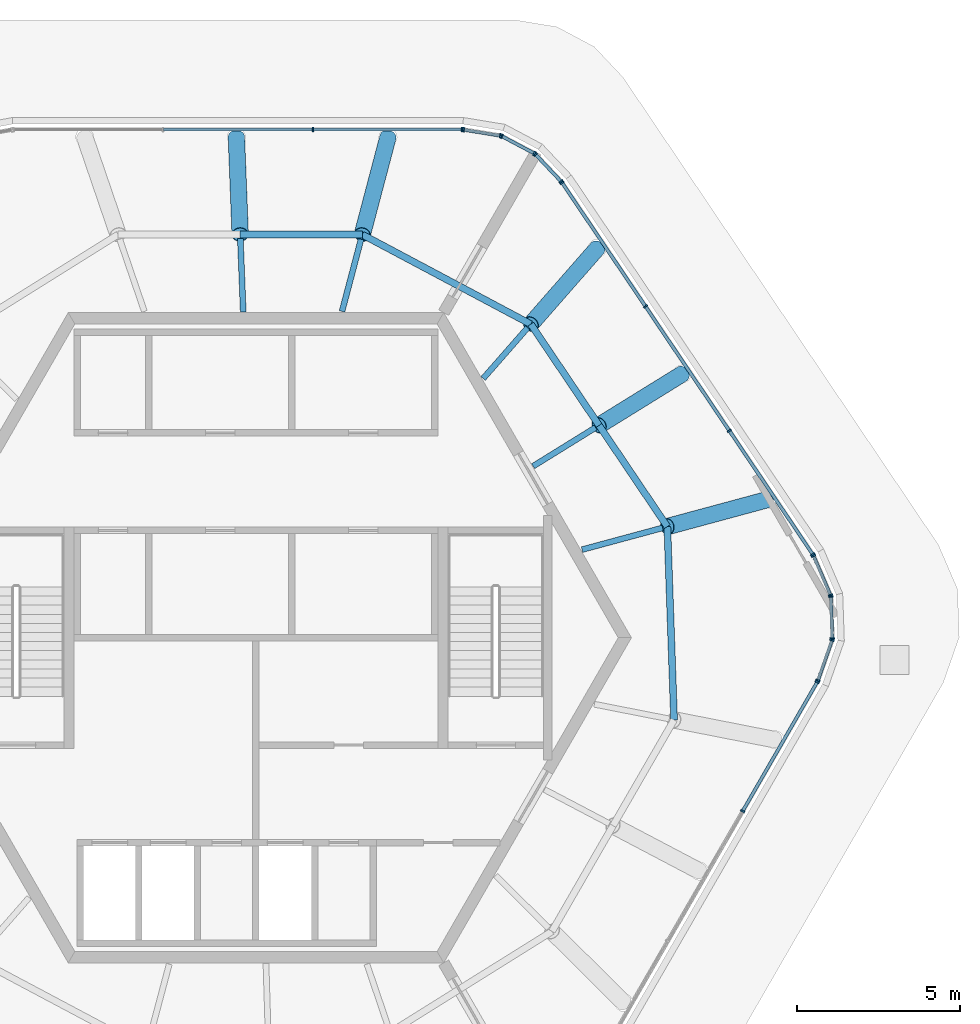
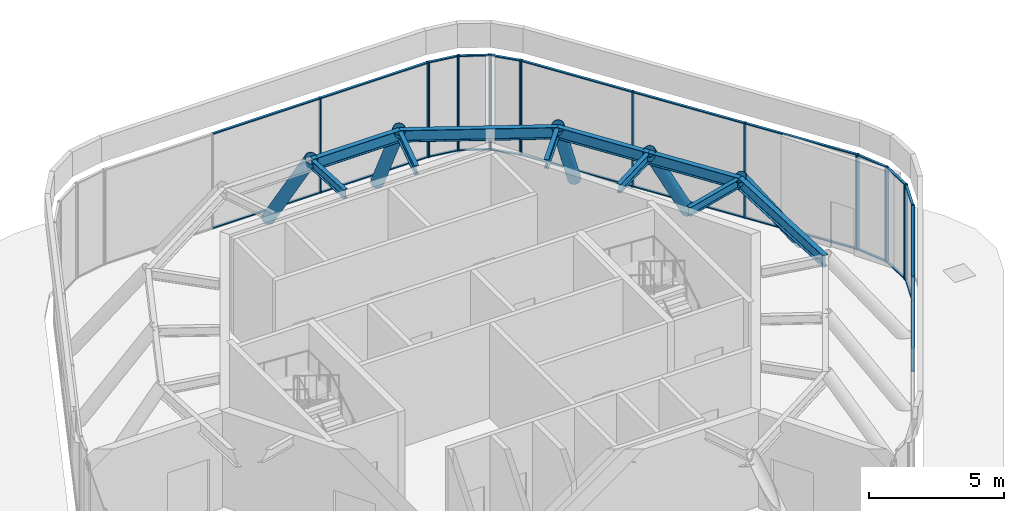
# One storey, part 4 of 9: 49 members, 10 beams, 9 elements without a shape of their own.
"""IFC4 building model written with IfcOpenShell, lengths in metres."""

from ifc_helpers import new_model, si_unit, direction, frame, origin, origin_2d, place, context, subcontext, project, spatial, rectangle, hollow_circle, i_section, extrude, material, material_profile, profile_set, type_object, element, aggregate, save


model = new_model("IFC4")

# Units and contexts
model_context = context("Model", 3, precision=1e-05, world=origin(), true_north=direction((0.0, 1.0)))
body_context = subcontext(model_context, "Body", "Model", "MODEL_VIEW")
ifc_project = project(units=[si_unit("LENGTHUNIT", "METRE"), si_unit("AREAUNIT", "SQUARE_METRE"), si_unit("VOLUMEUNIT", "CUBIC_METRE"), si_unit("PLANEANGLEUNIT", "RADIAN"), si_unit("MASSUNIT", "GRAM", prefix="KILO")], contexts=[model_context])

# Site, building, storey
site_placement = place(None, origin())
site = spatial("IfcSite", under=ifc_project, at=site_placement, CompositionType="ELEMENT")
building_placement = place(site_placement, origin())
building = spatial("IfcBuilding", under=site, at=building_placement, Name="Tarnside Tower", CompositionType="ELEMENT")
storey_placement = place(building_placement, frame((0.0, 0.0, 397.199951171875)))
storey = spatial("IfcBuildingStorey", under=building, at=storey_placement, Name="L94", CompositionType="ELEMENT", Elevation=397.199951171875)

# Curtain wall, members
ifc_material_1 = material(Name="Crown glazing wall", Category="glass")
curtain_wall_type = type_object("IfcCurtainWallType", Name="Crown glazing wall", PredefinedType="NOTDEFINED", material=ifc_material_1)
curtain_wall_1_placement = place(storey_placement, origin())
curtain_wall_1 = element("IfcCurtainWall", 1, at=curtain_wall_1_placement, inside=storey, type_object=curtain_wall_type, Name="Crown glazing L94 00", PredefinedType="NOTDEFINED")
ifc_material_2 = material(Name="Aluminium alloy 6063", Category="aluminium")
ifc_material_profile_1 = material_profile(ifc_material_2, rectangle(XDim=0.139892578125, YDim=0.050048828125, at=origin_2d()), Name="Crown glazing mullion 50 x 140")
ifc_profile_set_1 = profile_set([ifc_material_profile_1], Name="Aluminium alloy 6063")
member_type_1 = type_object("IfcMemberType", Name="Crown glazing mullion 50 x 140", PredefinedType="MULLION", material=ifc_profile_set_1)
member_1_placement = place(storey_placement, frame((1.7490234375, 15.6298828125, 0.0), z_axis=(0.0, 0.0, 1.0), x_axis=(0.0, 1.0, 0.0)))
member_1 = element("IfcMember", 2, at=member_1_placement, type_object=member_type_1, Name="CW6 mullion 3", PredefinedType="MULLION", context=body_context, shape_type="SweptSolid", body=[
    extrude(rectangle(XDim=0.139892578125, YDim=0.050048828125, at=origin_2d()), origin(), (0.0, 0.0, 1.0), 4.300048828125),
])
member_2_placement = place(storey_placement, frame((6.337646484375, 15.6298828125, 0.0), z_axis=(0.0, 0.0, 1.0), x_axis=(0.0, 1.0, 0.0)))
member_2 = element("IfcMember", 3, at=member_2_placement, type_object=member_type_1, Name="CW6 mullion 4", PredefinedType="MULLION", context=body_context, shape_type="SweptSolid", body=[
    extrude(rectangle(XDim=0.139892578125, YDim=0.050048828125, at=origin_2d()), origin(), (0.0, 0.0, 1.0), 4.300048828125),
])

curtain_wall_2_placement = place(storey_placement, origin())
curtain_wall_2 = element("IfcCurtainWall", 4, at=curtain_wall_2_placement, inside=storey, type_object=curtain_wall_type, Name="Crown glazing L94 01", PredefinedType="NOTDEFINED")
member_3_placement = place(storey_placement, frame((6.38720703125, 15.6259765625, 0.0), z_axis=(0.0, 0.0, 1.0), x_axis=(0.162177923324, 0.986761532077, 0.0)))
member_3 = element("IfcMember", 5, at=member_3_placement, type_object=member_type_1, Name="CW6 mullion 1", PredefinedType="MULLION", context=body_context, shape_type="SweptSolid", body=[
    extrude(rectangle(XDim=0.139892578125, YDim=0.050048828125, at=origin_2d()), origin(), (0.0, 0.0, 1.0), 4.300048828125),
])
member_4_placement = place(storey_placement, frame((7.516845703125, 15.4404296875, 0.0), z_axis=(0.0, 0.0, 1.0), x_axis=(0.162177923324, 0.986761532077, 0.0)))
member_4 = element("IfcMember", 6, at=member_4_placement, type_object=member_type_1, Name="CW6 mullion 2", PredefinedType="MULLION", context=body_context, shape_type="SweptSolid", body=[
    extrude(rectangle(XDim=0.139892578125, YDim=0.050048828125, at=origin_2d()), origin(), (0.0, 0.0, 1.0), 4.300048828125),
])

curtain_wall_3_placement = place(storey_placement, origin())
curtain_wall_3 = element("IfcCurtainWall", 7, at=curtain_wall_3_placement, inside=storey, type_object=curtain_wall_type, Name="Crown glazing L94 02", PredefinedType="NOTDEFINED")
member_5_placement = place(storey_placement, frame((7.5634765625, 15.424560546875, 0.0), z_axis=(0.0, 0.0, 1.0), x_axis=(0.469471562678, 0.882947592916, 0.0)))
member_5 = element("IfcMember", 8, at=member_5_placement, type_object=member_type_1, Name="CW6 mullion 1", PredefinedType="MULLION", context=body_context, shape_type="SweptSolid", body=[
    extrude(rectangle(XDim=0.139892578125, YDim=0.050048828125, at=origin_2d()), origin(), (0.0, 0.0, 1.0), 4.300048828125),
])
member_6_placement = place(storey_placement, frame((8.55810546875, 14.895751953125, 0.0), z_axis=(0.0, 0.0, 1.0), x_axis=(0.469471562678, 0.882947592916, 0.0)))
member_6 = element("IfcMember", 9, at=member_6_placement, type_object=member_type_1, Name="CW6 mullion 2", PredefinedType="MULLION", context=body_context, shape_type="SweptSolid", body=[
    extrude(rectangle(XDim=0.139892578125, YDim=0.050048828125, at=origin_2d()), origin(), (0.0, 0.0, 1.0), 4.300048828125),
])

curtain_wall_4_placement = place(storey_placement, origin())
curtain_wall_4 = element("IfcCurtainWall", 10, at=curtain_wall_4_placement, inside=storey, type_object=curtain_wall_type, Name="Crown glazing L94 03", PredefinedType="NOTDEFINED")
member_7_placement = place(storey_placement, frame((8.597412109375, 14.86572265625, 0.0), z_axis=(0.0, 0.0, 1.0), x_axis=(0.727373641409, 0.686241638042, 0.0)))
member_7 = element("IfcMember", 11, at=member_7_placement, type_object=member_type_1, Name="CW6 mullion 1", PredefinedType="MULLION", context=body_context, shape_type="SweptSolid", body=[
    extrude(rectangle(XDim=0.139892578125, YDim=0.050048828125, at=origin_2d()), origin(), (0.0, 0.0, 1.0), 4.300048828125),
])
member_8_placement = place(storey_placement, frame((9.3828125, 14.033203125, 0.0), z_axis=(0.0, 0.0, 1.0), x_axis=(0.727373641409, 0.686241638042, 0.0)))
member_8 = element("IfcMember", 12, at=member_8_placement, type_object=member_type_1, Name="CW6 mullion 2", PredefinedType="MULLION", context=body_context, shape_type="SweptSolid", body=[
    extrude(rectangle(XDim=0.139892578125, YDim=0.050048828125, at=origin_2d()), origin(), (0.0, 0.0, 1.0), 4.300048828125),
])

curtain_wall_5_placement = place(storey_placement, origin())
curtain_wall_5 = element("IfcCurtainWall", 13, at=curtain_wall_5_placement, inside=storey, type_object=curtain_wall_type, Name="Crown glazing L94 04", PredefinedType="NOTDEFINED")
member_9_placement = place(storey_placement, frame((9.4140625, 13.994140625, 0.0), z_axis=(0.0, 0.0, 1.0), x_axis=(0.829037572575, 0.559192903442, 0.0)))
member_9 = element("IfcMember", 14, at=member_9_placement, type_object=member_type_1, Name="CW6 mullion 1", PredefinedType="MULLION", context=body_context, shape_type="SweptSolid", body=[
    extrude(rectangle(XDim=0.139892578125, YDim=0.050048828125, at=origin_2d()), origin(), (0.0, 0.0, 1.0), 4.300048828125),
])
member_10_placement = place(storey_placement, frame((11.979736328125, 10.190185546875, 0.0), z_axis=(0.0, 0.0, 1.0), x_axis=(0.829037572575, 0.559192903442, 0.0)))
member_10 = element("IfcMember", 15, at=member_10_placement, type_object=member_type_1, Name="CW6 mullion 2", PredefinedType="MULLION", context=body_context, shape_type="SweptSolid", body=[
    extrude(rectangle(XDim=0.139892578125, YDim=0.050048828125, at=origin_2d()), origin(), (0.0, 0.0, 1.0), 4.300048828125),
])
member_11_placement = place(storey_placement, frame((14.5595703125, 6.365478515625, 0.0), z_axis=(0.0, 0.0, 1.0), x_axis=(0.829037572575, 0.559192903442, 0.0)))
member_11 = element("IfcMember", 16, at=member_11_placement, type_object=member_type_1, Name="CW6 mullion 3", PredefinedType="MULLION", context=body_context, shape_type="SweptSolid", body=[
    extrude(rectangle(XDim=0.139892578125, YDim=0.050048828125, at=origin_2d()), origin(), (0.0, 0.0, 1.0), 4.300048828125),
])
member_12_placement = place(storey_placement, frame((17.12548828125, 2.5615234375, 0.0), z_axis=(0.0, 0.0, 1.0), x_axis=(0.829037572575, 0.559192903442, 0.0)))
member_12 = element("IfcMember", 17, at=member_12_placement, type_object=member_type_1, Name="CW6 mullion 4", PredefinedType="MULLION", context=body_context, shape_type="SweptSolid", body=[
    extrude(rectangle(XDim=0.139892578125, YDim=0.050048828125, at=origin_2d()), origin(), (0.0, 0.0, 1.0), 4.300048828125),
])

curtain_wall_6_placement = place(storey_placement, origin())
curtain_wall_6 = element("IfcCurtainWall", 18, at=curtain_wall_6_placement, inside=storey, type_object=curtain_wall_type, Name="Crown glazing L94 05", PredefinedType="NOTDEFINED")
member_13_placement = place(storey_placement, frame((17.1494140625, 2.517822265625, 0.0), z_axis=(0.0, 0.0, 1.0), x_axis=(0.918216106813, 0.396079766194, 0.0)))
member_13 = element("IfcMember", 19, at=member_13_placement, type_object=member_type_1, Name="CW6 mullion 1", PredefinedType="MULLION", context=body_context, shape_type="SweptSolid", body=[
    extrude(rectangle(XDim=0.139892578125, YDim=0.050048828125, at=origin_2d()), origin(), (0.0, 0.0, 1.0), 4.300048828125),
])
member_14_placement = place(storey_placement, frame((17.66943359375, 1.31201171875, 0.0), z_axis=(0.0, 0.0, 1.0), x_axis=(0.918216106813, 0.396079766194, 0.0)))
member_14 = element("IfcMember", 20, at=member_14_placement, type_object=member_type_1, Name="CW6 mullion 2", PredefinedType="MULLION", context=body_context, shape_type="SweptSolid", body=[
    extrude(rectangle(XDim=0.139892578125, YDim=0.050048828125, at=origin_2d()), origin(), (0.0, 0.0, 1.0), 4.300048828125),
])

curtain_wall_7_placement = place(storey_placement, origin())
curtain_wall_7 = element("IfcCurtainWall", 21, at=curtain_wall_7_placement, inside=storey, type_object=curtain_wall_type, Name="Crown glazing L94 06", PredefinedType="NOTDEFINED")
member_15_placement = place(storey_placement, frame((17.68017578125, 1.263916015625, 0.0), z_axis=(0.0, 0.0, 1.0), x_axis=(0.999390827004, 0.034899497121, 0.0)))
member_15 = element("IfcMember", 22, at=member_15_placement, type_object=member_type_1, Name="CW6 mullion 1", PredefinedType="MULLION", context=body_context, shape_type="SweptSolid", body=[
    extrude(rectangle(XDim=0.139892578125, YDim=0.050048828125, at=origin_2d()), origin(), (0.0, 0.0, 1.0), 4.300048828125),
])
member_16_placement = place(storey_placement, frame((17.725341796875, -0.027587890625, 0.0), z_axis=(0.0, 0.0, 1.0), x_axis=(0.999390827004, 0.034899497121, 0.0)))
member_16 = element("IfcMember", 23, at=member_16_placement, type_object=member_type_1, Name="CW6 mullion 2", PredefinedType="MULLION", context=body_context, shape_type="SweptSolid", body=[
    extrude(rectangle(XDim=0.139892578125, YDim=0.050048828125, at=origin_2d()), origin(), (0.0, 0.0, 1.0), 4.300048828125),
])

curtain_wall_8_placement = place(storey_placement, origin())
curtain_wall_8 = element("IfcCurtainWall", 24, at=curtain_wall_8_placement, inside=storey, type_object=curtain_wall_type, Name="Crown glazing L94 07", PredefinedType="NOTDEFINED")
member_17_placement = place(storey_placement, frame((17.718017578125, -0.076171875, 0.0), z_axis=(0.0, 0.0, 1.0), x_axis=(0.943608506424, -0.331063417797, 0.0)))
member_17 = element("IfcMember", 25, at=member_17_placement, type_object=member_type_1, Name="CW6 mullion 1", PredefinedType="MULLION", context=body_context, shape_type="SweptSolid", body=[
    extrude(rectangle(XDim=0.139892578125, YDim=0.050048828125, at=origin_2d()), origin(), (0.0, 0.0, 1.0), 4.300048828125),
])
member_18_placement = place(storey_placement, frame((17.283203125, -1.3154296875, 0.0), z_axis=(0.0, 0.0, 1.0), x_axis=(0.943608506424, -0.331063417797, 0.0)))
member_18 = element("IfcMember", 26, at=member_18_placement, type_object=member_type_1, Name="CW6 mullion 2", PredefinedType="MULLION", context=body_context, shape_type="SweptSolid", body=[
    extrude(rectangle(XDim=0.139892578125, YDim=0.050048828125, at=origin_2d()), origin(), (0.0, 0.0, 1.0), 4.300048828125),
])

curtain_wall_9_placement = place(storey_placement, origin())
curtain_wall_9 = element("IfcCurtainWall", 27, at=curtain_wall_9_placement, inside=storey, type_object=curtain_wall_type, Name="Crown glazing L94 08", PredefinedType="NOTDEFINED")
member_19_placement = place(storey_placement, frame((17.262451171875, -1.360595703125, 0.0), z_axis=(0.0, 0.0, 1.0), x_axis=(0.866025403776, -0.500000000015, 0.0)))
member_19 = element("IfcMember", 28, at=member_19_placement, type_object=member_type_1, Name="CW6 mullion 1", PredefinedType="MULLION", context=body_context, shape_type="SweptSolid", body=[
    extrude(rectangle(XDim=0.139892578125, YDim=0.050048828125, at=origin_2d()), origin(), (0.0, 0.0, 1.0), 4.300048828125),
])
member_20_placement = place(storey_placement, frame((14.96826171875, -5.334228515625, 0.0), z_axis=(0.0, 0.0, 1.0), x_axis=(0.866025403776, -0.500000000015, 0.0)))
member_20 = element("IfcMember", 29, at=member_20_placement, type_object=member_type_1, Name="CW6 mullion 2", PredefinedType="MULLION", context=body_context, shape_type="SweptSolid", body=[
    extrude(rectangle(XDim=0.139892578125, YDim=0.050048828125, at=origin_2d()), origin(), (0.0, 0.0, 1.0), 4.300048828125),
])

# Member
ifc_material_profile_2 = material_profile(ifc_material_2, rectangle(XDim=0.10009765625, YDim=0.050048828125, at=origin_2d()), Name="Crown glazing transom 50 x 100")
ifc_profile_set_2 = profile_set([ifc_material_profile_2], Name="Aluminium alloy 6063")
member_type_2 = type_object("IfcMemberType", Name="Crown glazing transom 50 x 100", PredefinedType="USERDEFINED", material=ifc_profile_set_2)
member_21_placement = place(storey_placement, frame((-2.83935546875, 15.6298828125, 0.025146484375), z_axis=(1.0, 0.0, 0.0), x_axis=(0.0, 1.0, 0.0)))
member_21 = element("IfcMember", 30, at=member_21_placement, type_object=member_type_2, Name="CW6 transom 2.1", ObjectType="TRANSOM", PredefinedType="USERDEFINED", context=body_context, shape_type="SweptSolid", body=[
    extrude(rectangle(XDim=0.10009765625, YDim=0.050048828125, at=origin_2d()), origin(), (0.0, 0.0, 1.0), 4.5634765625),
])

member_22_placement = place(storey_placement, frame((-2.83935546875, 15.6298828125, 4.275146484375), z_axis=(1.0, 0.0, 0.0), x_axis=(0.0, 1.0, 0.0)))
member_22 = element("IfcMember", 31, at=member_22_placement, type_object=member_type_2, Name="CW6 transom 2.2", ObjectType="TRANSOM", PredefinedType="USERDEFINED", context=body_context, shape_type="SweptSolid", body=[
    extrude(rectangle(XDim=0.10009765625, YDim=0.050048828125, at=origin_2d()), origin(), (0.0, 0.0, 1.0), 4.5634765625),
])

member_23_placement = place(storey_placement, frame((1.774169921875, 15.6298828125, 0.025146484375), z_axis=(1.0, 0.0, 0.0), x_axis=(0.0, 1.0, 0.0)))
member_23 = element("IfcMember", 32, at=member_23_placement, type_object=member_type_2, Name="CW6 transom 3.1", ObjectType="TRANSOM", PredefinedType="USERDEFINED", context=body_context, shape_type="SweptSolid", body=[
    extrude(rectangle(XDim=0.10009765625, YDim=0.050048828125, at=origin_2d()), origin(), (0.0, 0.0, 1.0), 4.538330078125),
])

member_24_placement = place(storey_placement, frame((1.774169921875, 15.6298828125, 4.275146484375), z_axis=(1.0, 0.0, 0.0), x_axis=(0.0, 1.0, 0.0)))
member_24 = element("IfcMember", 33, at=member_24_placement, type_object=member_type_2, Name="CW6 transom 3.2", ObjectType="TRANSOM", PredefinedType="USERDEFINED", context=body_context, shape_type="SweptSolid", body=[
    extrude(rectangle(XDim=0.10009765625, YDim=0.050048828125, at=origin_2d()), origin(), (0.0, 0.0, 1.0), 4.538330078125),
])

aggregate(curtain_wall_1, [member_1, member_2, member_21, member_22, member_23, member_24])

member_25_placement = place(storey_placement, frame((6.411865234375, 15.621826171875, 0.025146484375), z_axis=(0.986765131059, -0.162156024023, 0.0), x_axis=(0.162156024023, 0.986765131059, 0.0)))
member_25 = element("IfcMember", 34, at=member_25_placement, type_object=member_type_2, Name="CW6 transom 1.1", ObjectType="TRANSOM", PredefinedType="USERDEFINED", context=body_context, shape_type="SweptSolid", body=[
    extrude(rectangle(XDim=0.10009765625, YDim=0.050048828125, at=origin_2d()), origin(), (0.0, 0.0, 1.0), 1.094482421875),
])

member_26_placement = place(storey_placement, frame((6.411865234375, 15.621826171875, 4.275146484375), z_axis=(0.986765131059, -0.162156024023, 0.0), x_axis=(0.162156024023, 0.986765131059, 0.0)))
member_26 = element("IfcMember", 35, at=member_26_placement, type_object=member_type_2, Name="CW6 transom 1.2", ObjectType="TRANSOM", PredefinedType="USERDEFINED", context=body_context, shape_type="SweptSolid", body=[
    extrude(rectangle(XDim=0.10009765625, YDim=0.050048828125, at=origin_2d()), origin(), (0.0, 0.0, 1.0), 1.094482421875),
])

aggregate(curtain_wall_2, [member_3, member_4, member_25, member_26])

member_27_placement = place(storey_placement, frame((7.58544921875, 15.412841796875, 0.025146484375), z_axis=(0.882942404878, -0.46948131983, 0.0), x_axis=(0.46948131983, 0.882942404878, 0.0)))
member_27 = element("IfcMember", 36, at=member_27_placement, type_object=member_type_2, Name="CW6 transom 1.1", ObjectType="TRANSOM", PredefinedType="USERDEFINED", context=body_context, shape_type="SweptSolid", body=[
    extrude(rectangle(XDim=0.10009765625, YDim=0.050048828125, at=origin_2d()), origin(), (0.0, 0.0, 1.0), 1.076416015625),
])

member_28_placement = place(storey_placement, frame((7.58544921875, 15.412841796875, 4.275146484375), z_axis=(0.882942404878, -0.46948131983, 0.0), x_axis=(0.46948131983, 0.882942404878, 0.0)))
member_28 = element("IfcMember", 37, at=member_28_placement, type_object=member_type_2, Name="CW6 transom 1.2", ObjectType="TRANSOM", PredefinedType="USERDEFINED", context=body_context, shape_type="SweptSolid", body=[
    extrude(rectangle(XDim=0.10009765625, YDim=0.050048828125, at=origin_2d()), origin(), (0.0, 0.0, 1.0), 1.076416015625),
])

aggregate(curtain_wall_3, [member_5, member_6, member_27, member_28])

member_29_placement = place(storey_placement, frame((8.614501953125, 14.84765625, 0.025146484375), z_axis=(0.686178127123, -0.727433555631, 0.0), x_axis=(0.727433555631, 0.686178127123, 0.0)))
member_29 = element("IfcMember", 38, at=member_29_placement, type_object=member_type_2, Name="CW6 transom 1.1", ObjectType="TRANSOM", PredefinedType="USERDEFINED", context=body_context, shape_type="SweptSolid", body=[
    extrude(rectangle(XDim=0.10009765625, YDim=0.050048828125, at=origin_2d()), origin(), (0.0, 0.0, 1.0), 1.0947265625),
])

member_30_placement = place(storey_placement, frame((8.614501953125, 14.84765625, 4.275146484375), z_axis=(0.686178127123, -0.727433555631, 0.0), x_axis=(0.727433555631, 0.686178127123, 0.0)))
member_30 = element("IfcMember", 39, at=member_30_placement, type_object=member_type_2, Name="CW6 transom 1.2", ObjectType="TRANSOM", PredefinedType="USERDEFINED", context=body_context, shape_type="SweptSolid", body=[
    extrude(rectangle(XDim=0.10009765625, YDim=0.050048828125, at=origin_2d()), origin(), (0.0, 0.0, 1.0), 1.0947265625),
])

aggregate(curtain_wall_4, [member_7, member_8, member_29, member_30])

member_31_placement = place(storey_placement, frame((9.427978515625, 13.9736328125, 0.025146484375), z_axis=(0.559173483456, -0.82905067119, 0.0), x_axis=(0.82905067119, 0.559173483456, 0.0)))
member_31 = element("IfcMember", 40, at=member_31_placement, type_object=member_type_2, Name="CW6 transom 1.1", ObjectType="TRANSOM", PredefinedType="USERDEFINED", context=body_context, shape_type="SweptSolid", body=[
    extrude(rectangle(XDim=0.10009765625, YDim=0.050048828125, at=origin_2d()), origin(), (0.0, 0.0, 1.0), 4.53857421875),
])

member_32_placement = place(storey_placement, frame((9.427978515625, 13.9736328125, 4.275146484375), z_axis=(0.559173483456, -0.82905067119, 0.0), x_axis=(0.82905067119, 0.559173483456, 0.0)))
member_32 = element("IfcMember", 41, at=member_32_placement, type_object=member_type_2, Name="CW6 transom 1.2", ObjectType="TRANSOM", PredefinedType="USERDEFINED", context=body_context, shape_type="SweptSolid", body=[
    extrude(rectangle(XDim=0.10009765625, YDim=0.050048828125, at=origin_2d()), origin(), (0.0, 0.0, 1.0), 4.53857421875),
])

member_33_placement = place(storey_placement, frame((11.99365234375, 10.16943359375, 0.025146484375), z_axis=(0.559222908188, -0.829017333328, 0.0), x_axis=(0.829017333328, 0.559222908188, 0.0)))
member_33 = element("IfcMember", 42, at=member_33_placement, type_object=member_type_2, Name="CW6 transom 2.1", ObjectType="TRANSOM", PredefinedType="USERDEFINED", context=body_context, shape_type="SweptSolid", body=[
    extrude(rectangle(XDim=0.10009765625, YDim=0.050048828125, at=origin_2d()), origin(), (0.0, 0.0, 1.0), 4.5634765625),
])

member_34_placement = place(storey_placement, frame((11.99365234375, 10.16943359375, 4.275146484375), z_axis=(0.559222908188, -0.829017333328, 0.0), x_axis=(0.829017333328, 0.559222908188, 0.0)))
member_34 = element("IfcMember", 43, at=member_34_placement, type_object=member_type_2, Name="CW6 transom 2.2", ObjectType="TRANSOM", PredefinedType="USERDEFINED", context=body_context, shape_type="SweptSolid", body=[
    extrude(rectangle(XDim=0.10009765625, YDim=0.050048828125, at=origin_2d()), origin(), (0.0, 0.0, 1.0), 4.5634765625),
])

member_35_placement = place(storey_placement, frame((14.573486328125, 6.3447265625, 0.025146484375), z_axis=(0.559235393072, -0.829008911373, 0.0), x_axis=(0.829008911373, 0.559235393072, 0.0)))
member_35 = element("IfcMember", 44, at=member_35_placement, type_object=member_type_2, Name="CW6 transom 3.1", ObjectType="TRANSOM", PredefinedType="USERDEFINED", context=body_context, shape_type="SweptSolid", body=[
    extrude(rectangle(XDim=0.10009765625, YDim=0.050048828125, at=origin_2d()), origin(), (0.0, 0.0, 1.0), 4.53857421875),
])

member_36_placement = place(storey_placement, frame((14.573486328125, 6.3447265625, 4.275146484375), z_axis=(0.559235393072, -0.829008911373, 0.0), x_axis=(0.829008911373, 0.559235393072, 0.0)))
member_36 = element("IfcMember", 45, at=member_36_placement, type_object=member_type_2, Name="CW6 transom 3.2", ObjectType="TRANSOM", PredefinedType="USERDEFINED", context=body_context, shape_type="SweptSolid", body=[
    extrude(rectangle(XDim=0.10009765625, YDim=0.050048828125, at=origin_2d()), origin(), (0.0, 0.0, 1.0), 4.53857421875),
])

aggregate(curtain_wall_5, [member_9, member_10, member_11, member_12, member_31, member_32, member_33, member_34, member_35, member_36])

member_37_placement = place(storey_placement, frame((17.1591796875, 2.494873046875, 0.025146484375), z_axis=(0.396180566146, -0.918172619396, 0.0), x_axis=(0.918172619396, 0.396180566146, 0.0)))
member_37 = element("IfcMember", 46, at=member_37_placement, type_object=member_type_2, Name="CW6 transom 1.1", ObjectType="TRANSOM", PredefinedType="USERDEFINED", context=body_context, shape_type="SweptSolid", body=[
    extrude(rectangle(XDim=0.10009765625, YDim=0.050048828125, at=origin_2d()), origin(), (0.0, 0.0, 1.0), 1.26318359375),
])

member_38_placement = place(storey_placement, frame((17.1591796875, 2.494873046875, 4.275146484375), z_axis=(0.396180566146, -0.918172619396, 0.0), x_axis=(0.918172619396, 0.396180566146, 0.0)))
member_38 = element("IfcMember", 47, at=member_38_placement, type_object=member_type_2, Name="CW6 transom 1.2", ObjectType="TRANSOM", PredefinedType="USERDEFINED", context=body_context, shape_type="SweptSolid", body=[
    extrude(rectangle(XDim=0.10009765625, YDim=0.050048828125, at=origin_2d()), origin(), (0.0, 0.0, 1.0), 1.26318359375),
])

aggregate(curtain_wall_6, [member_13, member_14, member_37, member_38])

member_39_placement = place(storey_placement, frame((17.68115234375, 1.239013671875, 0.025146484375), z_axis=(0.034976619601, -0.999388130849, 0.0), x_axis=(0.999388130849, 0.034976619601, 0.0)))
member_39 = element("IfcMember", 48, at=member_39_placement, type_object=member_type_2, Name="CW6 transom 1.1", ObjectType="TRANSOM", PredefinedType="USERDEFINED", context=body_context, shape_type="SweptSolid", body=[
    extrude(rectangle(XDim=0.10009765625, YDim=0.050048828125, at=origin_2d()), origin(), (0.0, 0.0, 1.0), 1.242431640625),
])

member_40_placement = place(storey_placement, frame((17.68115234375, 1.239013671875, 4.275146484375), z_axis=(0.034976619601, -0.999388130849, 0.0), x_axis=(0.999388130849, 0.034976619601, 0.0)))
member_40 = element("IfcMember", 49, at=member_40_placement, type_object=member_type_2, Name="CW6 transom 1.2", ObjectType="TRANSOM", PredefinedType="USERDEFINED", context=body_context, shape_type="SweptSolid", body=[
    extrude(rectangle(XDim=0.10009765625, YDim=0.050048828125, at=origin_2d()), origin(), (0.0, 0.0, 1.0), 1.242431640625),
])

aggregate(curtain_wall_7, [member_15, member_16, member_39, member_40])

member_41_placement = place(storey_placement, frame((17.709716796875, -0.099853515625, 0.025146484375), z_axis=(-0.331090732219, -0.943598922763, 0.0), x_axis=(0.943598922763, -0.331090732219, 0.0)))
member_41 = element("IfcMember", 50, at=member_41_placement, type_object=member_type_2, Name="CW6 transom 1.1", ObjectType="TRANSOM", PredefinedType="USERDEFINED", context=body_context, shape_type="SweptSolid", body=[
    extrude(rectangle(XDim=0.10009765625, YDim=0.050048828125, at=origin_2d()), origin(), (0.0, 0.0, 1.0), 1.26318359375),
])

member_42_placement = place(storey_placement, frame((17.709716796875, -0.099853515625, 4.275146484375), z_axis=(-0.331090732219, -0.943598922763, 0.0), x_axis=(0.943598922763, -0.331090732219, 0.0)))
member_42 = element("IfcMember", 51, at=member_42_placement, type_object=member_type_2, Name="CW6 transom 1.2", ObjectType="TRANSOM", PredefinedType="USERDEFINED", context=body_context, shape_type="SweptSolid", body=[
    extrude(rectangle(XDim=0.10009765625, YDim=0.050048828125, at=origin_2d()), origin(), (0.0, 0.0, 1.0), 1.26318359375),
])

aggregate(curtain_wall_8, [member_17, member_18, member_41, member_42])

member_43_placement = place(storey_placement, frame((17.25, -1.38232421875, 0.025146484375), z_axis=(-0.500009602748, -0.866019859564, 0.0), x_axis=(0.866019859564, -0.500009602748, 0.0)))
member_43 = element("IfcMember", 52, at=member_43_placement, type_object=member_type_2, Name="CW6 transom 1.1", ObjectType="TRANSOM", PredefinedType="USERDEFINED", context=body_context, shape_type="SweptSolid", body=[
    extrude(rectangle(XDim=0.10009765625, YDim=0.050048828125, at=origin_2d()), origin(), (0.0, 0.0, 1.0), 4.53857421875),
])

member_44_placement = place(storey_placement, frame((17.25, -1.38232421875, 4.275146484375), z_axis=(-0.500009602748, -0.866019859564, 0.0), x_axis=(0.866019859564, -0.500009602748, 0.0)))
member_44 = element("IfcMember", 53, at=member_44_placement, type_object=member_type_2, Name="CW6 transom 1.2", ObjectType="TRANSOM", PredefinedType="USERDEFINED", context=body_context, shape_type="SweptSolid", body=[
    extrude(rectangle(XDim=0.10009765625, YDim=0.050048828125, at=origin_2d()), origin(), (0.0, 0.0, 1.0), 4.53857421875),
])

aggregate(curtain_wall_9, [member_19, member_20, member_43, member_44])

# Beams
ifc_material_3 = material(Name="Steel S355", Category="steel")
ifc_material_profile_3 = material_profile(ifc_material_3, i_section(OverallWidth=0.177978515625, OverallDepth=0.406494140625, WebThickness=0.0078125, FlangeThickness=0.0126953125, FilletRadius=0.01025390625, at=origin_2d()), Name="UB 406x178x60")
ifc_profile_set_3 = profile_set([ifc_material_profile_3], Name="Steel S355")
beam_type_1 = type_object("IfcBeamType", Name="Floor beam UB 406x178x60", PredefinedType="BEAM", material=ifc_profile_set_3)
beam_1_placement = place(storey_placement, frame((3.2314453125, 12.256591796875, 4.096923828125), z_axis=(-0.254912398602, -0.966964150855, 0.0), x_axis=(0.966964150855, -0.254912398602, 0.0)))
element("IfcBeam", 54, at=beam_1_placement, inside=storey, type_object=beam_type_1, Name="Floor beam RB1", PredefinedType="BEAM", context=body_context, shape_type="SweptSolid", body=[
    extrude(i_section(OverallWidth=0.177978515625, OverallDepth=0.406494140625, WebThickness=0.0078125, FlangeThickness=0.0126953125, FilletRadius=0.01025390625, at=origin_2d()), origin(), (0.0, 0.0, 1.0), 2.293701171875),
])
beam_2_placement = place(storey_placement, frame((-0.48095703125, 12.275390625, 4.096923828125), z_axis=(0.039155919774, -0.999233112915, 0.0), x_axis=(0.999233112915, 0.039155919774, 0.0)))
element("IfcBeam", 55, at=beam_2_placement, inside=storey, type_object=beam_type_1, Name="Floor beam RB2", PredefinedType="BEAM", context=body_context, shape_type="SweptSolid", body=[
    extrude(i_section(OverallWidth=0.177978515625, OverallDepth=0.406494140625, WebThickness=0.0078125, FlangeThickness=0.0126953125, FilletRadius=0.01025390625, at=origin_2d()), origin(), (0.0, 0.0, 1.0), 2.257080078125),
])
beam_3_placement = place(storey_placement, frame((12.50634765625, 3.378662109375, 4.096923828125), z_axis=(-0.96538863207, -0.260815622749, 0.0), x_axis=(0.260815622749, -0.96538863207, 0.0)))
element("IfcBeam", 56, at=beam_3_placement, inside=storey, type_object=beam_type_1, Name="Floor beam RB16", PredefinedType="BEAM", context=body_context, shape_type="SweptSolid", body=[
    extrude(i_section(OverallWidth=0.177978515625, OverallDepth=0.406494140625, WebThickness=0.0078125, FlangeThickness=0.0126953125, FilletRadius=0.01025390625, at=origin_2d()), origin(), (0.0, 0.0, 1.0), 2.567626953125),
])
beam_4_placement = place(storey_placement, frame((10.44580078125, 6.465576171875, 4.096923828125), z_axis=(-0.85032039073, -0.526265363775, 0.0), x_axis=(0.526265363775, -0.85032039073, 0.0)))
element("IfcBeam", 57, at=beam_4_placement, inside=storey, type_object=beam_type_1, Name="Floor beam RB17", PredefinedType="BEAM", context=body_context, shape_type="SweptSolid", body=[
    extrude(i_section(OverallWidth=0.177978515625, OverallDepth=0.406494140625, WebThickness=0.0078125, FlangeThickness=0.0126953125, FilletRadius=0.01025390625, at=origin_2d()), origin(), (0.0, 0.0, 1.0), 2.26025390625),
])
beam_5_placement = place(storey_placement, frame((8.354248046875, 9.532958984375, 4.096923828125), z_axis=(-0.659079442243, -0.752073326753, 0.0), x_axis=(0.752073326753, -0.659079442243, 0.0)))
element("IfcBeam", 58, at=beam_5_placement, inside=storey, type_object=beam_type_1, Name="Floor beam RB18", PredefinedType="BEAM", context=body_context, shape_type="SweptSolid", body=[
    extrude(i_section(OverallWidth=0.177978515625, OverallDepth=0.406494140625, WebThickness=0.0078125, FlangeThickness=0.0126953125, FilletRadius=0.01025390625, at=origin_2d()), origin(), (0.0, 0.0, 1.0), 2.073974609375),
])
ifc_material_profile_4 = material_profile(ifc_material_3, i_section(OverallWidth=0.209228515625, OverallDepth=0.533203125, WebThickness=0.010009765625, FlangeThickness=0.015625, FilletRadius=0.0126953125, at=origin_2d()), Name="UB 533x210x92")
ifc_profile_set_4 = profile_set([ifc_material_profile_4], Name="Steel S355")
beam_type_2 = type_object("IfcBeamType", Name="Floor beam UB 533x210x92", PredefinedType="BEAM", material=ifc_profile_set_4)
beam_6_placement = place(storey_placement, frame((3.269287109375, 12.39990234375, 4.033447265625), z_axis=(-1.0, 0.0, 0.0), x_axis=(0.0, -1.0, 0.0)))
element("IfcBeam", 59, at=beam_6_placement, inside=storey, type_object=beam_type_2, Name="Floor beam R1", PredefinedType="BEAM", context=body_context, shape_type="SweptSolid", body=[
    extrude(i_section(OverallWidth=0.209228515625, OverallDepth=0.533203125, WebThickness=0.010009765625, FlangeThickness=0.015625, FilletRadius=0.0126953125, at=origin_2d()), origin(), (0.0, 0.0, 1.0), 3.755126953125),
])
beam_7_placement = place(storey_placement, frame((12.859375, -2.527099609375, 4.033447265625), z_axis=(-0.03492590894, 0.999389904334, 0.0), x_axis=(-0.999389904334, -0.03492590894, 0.0)))
element("IfcBeam", 60, at=beam_7_placement, inside=storey, type_object=beam_type_2, Name="Floor beam R15", PredefinedType="BEAM", context=body_context, shape_type="SweptSolid", body=[
    extrude(i_section(OverallWidth=0.209228515625, OverallDepth=0.533203125, WebThickness=0.010009765625, FlangeThickness=0.015625, FilletRadius=0.0126953125, at=origin_2d()), origin(), (0.0, 0.0, 1.0), 5.94873046875),
])
beam_8_placement = place(storey_placement, frame((12.651611328125, 3.41796875, 4.033447265625), z_axis=(-0.559178041264, 0.829047597046, 0.0), x_axis=(-0.829047597046, -0.559178041264, 0.0)))
element("IfcBeam", 61, at=beam_8_placement, inside=storey, type_object=beam_type_2, Name="Floor beam R16", PredefinedType="BEAM", context=body_context, shape_type="SweptSolid", body=[
    extrude(i_section(OverallWidth=0.209228515625, OverallDepth=0.533203125, WebThickness=0.010009765625, FlangeThickness=0.015625, FilletRadius=0.0126953125, at=origin_2d()), origin(), (0.0, 0.0, 1.0), 3.75537109375),
])
beam_9_placement = place(storey_placement, frame((10.5517578125, 6.53125, 4.033447265625), z_axis=(-0.55920818165, 0.829027267088, 0.0), x_axis=(-0.829027267088, -0.55920818165, 0.0)))
element("IfcBeam", 62, at=beam_9_placement, inside=storey, type_object=beam_type_2, Name="Floor beam R17", PredefinedType="BEAM", context=body_context, shape_type="SweptSolid", body=[
    extrude(i_section(OverallWidth=0.209228515625, OverallDepth=0.533203125, WebThickness=0.010009765625, FlangeThickness=0.015625, FilletRadius=0.0126953125, at=origin_2d()), origin(), (0.0, 0.0, 1.0), 3.755126953125),
])
beam_10_placement = place(storey_placement, frame((8.451904296875, 9.644287109375, 4.033447265625), z_axis=(-0.882949796557, 0.469467418209, 0.0), x_axis=(-0.469467418209, -0.882949796557, 0.0)))
element("IfcBeam", 63, at=beam_10_placement, inside=storey, type_object=beam_type_2, Name="Floor beam R18", PredefinedType="BEAM", context=body_context, shape_type="SweptSolid", body=[
    extrude(i_section(OverallWidth=0.209228515625, OverallDepth=0.533203125, WebThickness=0.010009765625, FlangeThickness=0.015625, FilletRadius=0.0126953125, at=origin_2d()), origin(), (0.0, 0.0, 1.0), 5.86962890625),
])

# Members
ifc_material_profile_5 = material_profile(ifc_material_3, hollow_circle(Radius=0.25390625, WallThickness=0.01611328125, at=origin_2d()), Name="CHS 508x16")
ifc_profile_set_5 = profile_set([ifc_material_profile_5], Name="Steel S355")
member_type_3 = type_object("IfcMemberType", Name="Truss diagonal CHS 508x16", PredefinedType="BRACE", material=ifc_profile_set_5)
member_45_placement = place(storey_placement, frame((4.060302734375, 15.39990234375, -0.199951171875), z_axis=(-0.144719140913, -0.548860741832, 0.823291112748), x_axis=(0.966952108313, -0.254958075434, 0.0)))
element("IfcMember", 64, at=member_45_placement, inside=storey, type_object=member_type_3, Name="Crown leg L94 1", PredefinedType="BRACE", context=body_context, shape_type="SweptSolid", body=[
    extrude(hollow_circle(Radius=0.25390625, WallThickness=0.01611328125, at=origin_2d()), origin(), (0.0, 0.0, 1.0), 5.4658203125),
])
member_46_placement = place(storey_placement, frame((-0.603515625, 15.39990234375, -0.199951171875), z_axis=(0.02175311106, -0.554568939228, 0.831853408842), x_axis=(0.999231576094, 0.039195118789, 0.0)))
element("IfcMember", 65, at=member_46_placement, inside=storey, type_object=member_type_3, Name="Crown leg L94 2", PredefinedType="BRACE", context=body_context, shape_type="SweptSolid", body=[
    extrude(hollow_circle(Radius=0.25390625, WallThickness=0.01611328125, at=origin_2d()), origin(), (0.0, 0.0, 1.0), 5.40966796875),
])
member_47_placement = place(storey_placement, frame((15.71240234375, 4.244873046875, -0.199951171875), z_axis=(-0.556027804395, -0.150216652587, 0.817476628428), x_axis=(0.260810109417, -0.965390121571, 0.0)))
element("IfcMember", 66, at=member_47_placement, inside=storey, type_object=member_type_3, Name="Crown leg L94 16", PredefinedType="BRACE", context=body_context, shape_type="SweptSolid", body=[
    extrude(hollow_circle(Radius=0.25390625, WallThickness=0.01611328125, at=origin_2d()), origin(), (0.0, 0.0, 1.0), 5.504638671875),
])
member_48_placement = place(storey_placement, frame((13.1044921875, 8.111328125, -0.199951171875), z_axis=(-0.47189509516, -0.292091149185, 0.831864039211), x_axis=(0.526309820653, -0.850292874652, 0.0)))
element("IfcMember", 67, at=member_48_placement, inside=storey, type_object=member_type_3, Name="Crown leg L94 17", PredefinedType="BRACE", context=body_context, shape_type="SweptSolid", body=[
    extrude(hollow_circle(Radius=0.25390625, WallThickness=0.01611328125, at=origin_2d()), origin(), (0.0, 0.0, 1.0), 5.409423828125),
])
member_49_placement = place(storey_placement, frame((10.49658203125, 11.977783203125, -0.199951171875), z_axis=(-0.374079827161, -0.426919998568, 0.823288283491), x_axis=(0.752118300384, -0.659028119451, 0.0)))
element("IfcMember", 68, at=member_49_placement, inside=storey, type_object=member_type_3, Name="Crown leg L94 18", PredefinedType="BRACE", context=body_context, shape_type="SweptSolid", body=[
    extrude(hollow_circle(Radius=0.25390625, WallThickness=0.01611328125, at=origin_2d()), origin(), (0.0, 0.0, 1.0), 5.4658203125),
])

save(model, "model.ifc")
